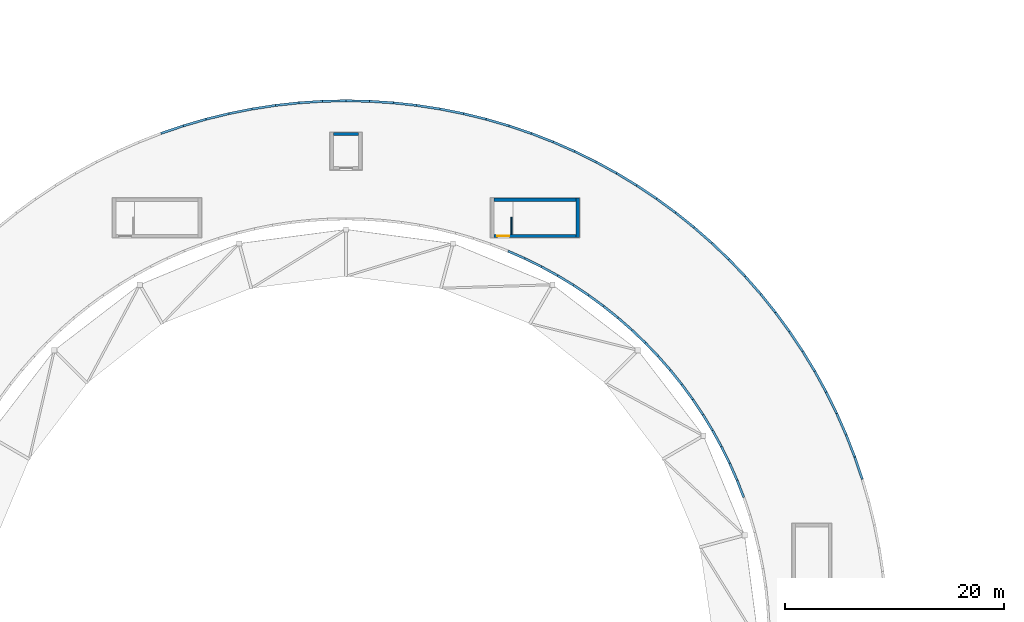
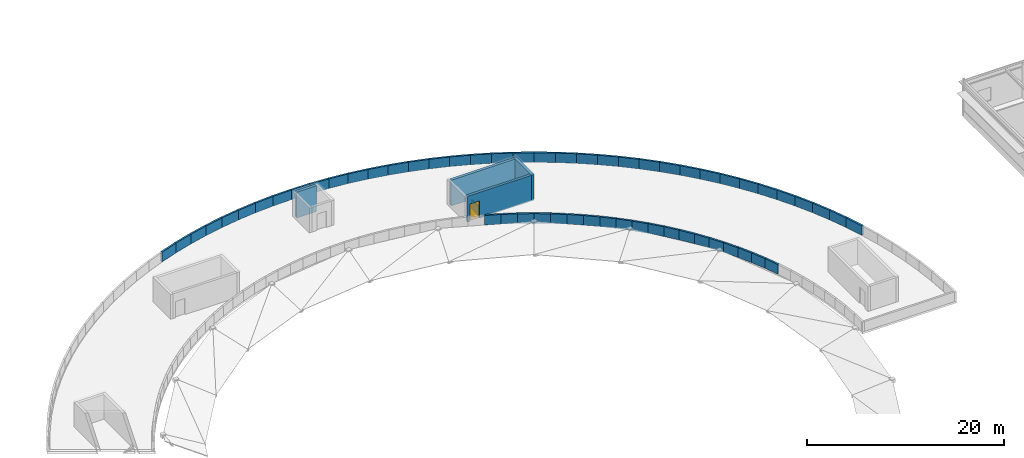
# One storey, part 35 of 50: 61 walls, 1 door, 1 opening.
"""IFC4 building model written with IfcOpenShell, lengths in metres."""

from ifc_helpers import new_model, si_unit, direction, frame, frame_2d, origin, place, context, subcontext, project, spatial, rectangle, extrude, material, layer, layer_set, type_object, element, fill, save


model = new_model("IFC4")

# Units and contexts
model_context = context("Model", 3, precision=1e-05, world=origin(), true_north=direction((0.0, 1.0)))
body_context = subcontext(model_context, "Body", "Model", "MODEL_VIEW")
ifc_project = project(units=[si_unit("LENGTHUNIT", "METRE"), si_unit("AREAUNIT", "SQUARE_METRE"), si_unit("VOLUMEUNIT", "CUBIC_METRE"), si_unit("PLANEANGLEUNIT", "RADIAN"), si_unit("MASSUNIT", "GRAM", prefix="KILO")], contexts=[model_context])

# Site, building, storey
site_placement = place(None, origin())
site = spatial("IfcSite", under=ifc_project, at=site_placement, CompositionType="ELEMENT")
building_placement = place(site_placement, origin())
building = spatial("IfcBuilding", under=site, at=building_placement, Name="Almandine Court Research Institute", CompositionType="ELEMENT")
storey_placement = place(building_placement, frame((0.0, 0.0, 23.449951171875)))
storey = spatial("IfcBuildingStorey", under=building, at=storey_placement, Name="L05", CompositionType="ELEMENT", Elevation=23.449951171875)

# Walls
ifc_material_1 = material(Name="Precast Concrete C40/50", Category="concrete")
ifc_layer_1 = layer(ifc_material_1, 0.2099609375)
ifc_layer_set_1 = layer_set([ifc_layer_1], Name="Precast Concrete C40/50")
wall_type_1 = type_object("IfcWallType", Name="Wall-PAR-210", PredefinedType="PARAPET", material=ifc_layer_set_1)
wall_1_placement = place(storey_placement, frame((134.10498046875, 70.85009765625, 0.0), z_axis=(0.0, 0.0, 1.0), x_axis=(-0.321412208842, 0.946939381379, 0.0)))
element("IfcWall", 1, at=wall_1_placement, inside=storey, type_object=wall_type_1, Name="L05 Roof Perimeter Parapet 020", PredefinedType="PARAPET", context=body_context, shape_type="SweptSolid", body=[
    extrude(rectangle(XDim=2.159423828125, YDim=0.2099609375, at=frame_2d((1.07958984375, 0.0))), origin(), (0.0, 0.0, 1.0), 1.199951171875),
])
for number, where, z_axis, x_axis, name in (
    (2, (133.412109375, 72.889892578125, 0.0), (0.0, 0.0, 1.0), (-0.36256624658, 0.931958001651, 0.0), "L05 Roof Perimeter Parapet 021"),
    (3, (132.631103515625, 74.89892578125, 0.0), (0.0, 0.0, 1.0), (-0.402821942195, 0.915278363607, 0.0), "L05 Roof Perimeter Parapet 022"),
):
    element("IfcWall", number, at=place(storey_placement, frame(where, z_axis=z_axis, x_axis=x_axis)), inside=storey, type_object=wall_type_1, Name=name, PredefinedType="PARAPET", context=body_context, shape_type="SweptSolid", body=[
        extrude(rectangle(XDim=2.16015625, YDim=0.2099609375, at=frame_2d((1.080078125, 0.0))), origin(), (0.0, 0.0, 1.0), 1.199951171875),
    ])
wall_2_placement = place(storey_placement, frame((131.762939453125, 76.87109375, 0.0), z_axis=(0.0, 0.0, 1.0), x_axis=(-0.442141749138, 0.896945189891, 0.0)))
element("IfcWall", 4, at=wall_2_placement, inside=storey, type_object=wall_type_1, Name="L05 Roof Perimeter Parapet 023", PredefinedType="PARAPET", context=body_context, shape_type="SweptSolid", body=[
    extrude(rectangle(XDim=2.15966796875, YDim=0.2099609375, at=frame_2d((1.079833984375, 0.0))), origin(), (0.0, 0.0, 1.0), 1.199951171875),
])
wall_3_placement = place(storey_placement, frame((130.81103515625, 78.803955078125, 0.0), z_axis=(0.0, 0.0, 1.0), x_axis=(-0.481163422052, 0.876630915083, 0.0)))
element("IfcWall", 5, at=wall_3_placement, inside=storey, type_object=wall_type_1, Name="L05 Roof Perimeter Parapet 024", PredefinedType="PARAPET", context=body_context, shape_type="SweptSolid", body=[
    extrude(rectangle(XDim=2.159423828125, YDim=0.2099609375, at=frame_2d((1.07958984375, 0.0))), origin(), (0.0, 0.0, 1.0), 1.199951171875),
])
wall_4_placement = place(storey_placement, frame((129.77392578125, 80.693115234375, 0.0), z_axis=(0.0, 0.0, 1.0), x_axis=(-0.518680079198, 0.854968406108, 0.0)))
element("IfcWall", 6, at=wall_4_placement, inside=storey, type_object=wall_type_1, Name="L05 Roof Perimeter Parapet 025", PredefinedType="PARAPET", context=body_context, shape_type="SweptSolid", body=[
    extrude(rectangle(XDim=2.1591796875, YDim=0.2099609375, at=frame_2d((1.07958984375, 0.0))), origin(), (0.0, 0.0, 1.0), 1.199951171875),
])
for number, where, z_axis, x_axis, name in (
    (7, (128.656982421875, 82.534912109375, 0.0), (0.0, 0.0, 1.0), (-0.555508484114, 0.831510868286, 0.0), "L05 Roof Perimeter Parapet 026"),
    (8, (127.458984375, 84.326904296875, 0.0), (0.0, 0.0, 1.0), (-0.591211761033, 0.806516369094, 0.0), "L05 Roof Perimeter Parapet 027"),
):
    element("IfcWall", number, at=place(storey_placement, frame(where, z_axis=z_axis, x_axis=x_axis)), inside=storey, type_object=wall_type_1, Name=name, PredefinedType="PARAPET", context=body_context, shape_type="SweptSolid", body=[
        extrude(rectangle(XDim=2.16015625, YDim=0.2099609375, at=frame_2d((1.080078125, 0.0))), origin(), (0.0, 0.0, 1.0), 1.199951171875),
    ])
for number, where, z_axis, x_axis, name in (
    (9, (126.18505859375, 86.06494140625, 0.0), (0.0, 0.0, 1.0), (-0.626045142333, 0.779786816868, 0.0), "L05 Roof Perimeter Parapet 028"),
    (10, (124.8359375, 87.7451171875, 0.0), (0.0, 0.0, 1.0), (-0.659296580105, 0.751882982559, 0.0), "L05 Roof Perimeter Parapet 029"),
):
    element("IfcWall", number, at=place(storey_placement, frame(where, z_axis=z_axis, x_axis=x_axis)), inside=storey, type_object=wall_type_1, Name=name, PredefinedType="PARAPET", context=body_context, shape_type="SweptSolid", body=[
        extrude(rectangle(XDim=2.15966796875, YDim=0.2099609375, at=frame_2d((1.079833984375, 0.0))), origin(), (0.0, 0.0, 1.0), 1.199951171875),
    ])
for number, where, z_axis, x_axis, name in (
    (11, (123.416015625, 89.365966796875, 0.0), (0.0, 0.0, 1.0), (-0.691389489776, 0.722482230527, 0.0), "L05 Roof Perimeter Parapet 030"),
    (12, (121.926025390625, 90.923095703125, 0.0), (0.0, 0.0, 1.0), (-0.722482230527, 0.691389489776, 0.0), "L05 Roof Perimeter Parapet 031"),
):
    element("IfcWall", number, at=place(storey_placement, frame(where, z_axis=z_axis, x_axis=x_axis)), inside=storey, type_object=wall_type_1, Name=name, PredefinedType="PARAPET", context=body_context, shape_type="SweptSolid", body=[
        extrude(rectangle(XDim=2.159423828125, YDim=0.2099609375, at=frame_2d((1.07958984375, 0.0))), origin(), (0.0, 0.0, 1.0), 1.199951171875),
    ])
for number, where, z_axis, x_axis, name in (
    (13, (120.368896484375, 92.412109375, 0.0), (0.0, 0.0, 1.0), (-0.751882982559, 0.659296580105, 0.0), "L05 Roof Perimeter Parapet 032"),
    (14, (118.7490234375, 93.8330078125, 0.0), (0.0, 0.0, 1.0), (-0.779786816868, 0.626045142333, 0.0), "L05 Roof Perimeter Parapet 033"),
):
    element("IfcWall", number, at=place(storey_placement, frame(where, z_axis=z_axis, x_axis=x_axis)), inside=storey, type_object=wall_type_1, Name=name, PredefinedType="PARAPET", context=body_context, shape_type="SweptSolid", body=[
        extrude(rectangle(XDim=2.15966796875, YDim=0.2099609375, at=frame_2d((1.079833984375, 0.0))), origin(), (0.0, 0.0, 1.0), 1.199951171875),
    ])
for number, where, z_axis, x_axis, name in (
    (15, (117.069091796875, 95.181884765625, 0.0), (0.0, 0.0, 1.0), (-0.806516369094, 0.591211761033, 0.0), "L05 Roof Perimeter Parapet 034"),
    (16, (115.3310546875, 96.45703125, 0.0), (0.0, 0.0, 1.0), (-0.831510868286, 0.555508484114, 0.0), "L05 Roof Perimeter Parapet 035"),
):
    element("IfcWall", number, at=place(storey_placement, frame(where, z_axis=z_axis, x_axis=x_axis)), inside=storey, type_object=wall_type_1, Name=name, PredefinedType="PARAPET", context=body_context, shape_type="SweptSolid", body=[
        extrude(rectangle(XDim=2.16015625, YDim=0.2099609375, at=frame_2d((1.080078125, 0.0))), origin(), (0.0, 0.0, 1.0), 1.199951171875),
    ])
wall_5_placement = place(storey_placement, frame((113.5390625, 97.654052734375, 0.0), z_axis=(0.0, 0.0, 1.0), x_axis=(-0.854968406108, 0.518680079198, 0.0)))
element("IfcWall", 17, at=wall_5_placement, inside=storey, type_object=wall_type_1, Name="L05 Roof Perimeter Parapet 036", PredefinedType="PARAPET", context=body_context, shape_type="SweptSolid", body=[
    extrude(rectangle(XDim=2.1591796875, YDim=0.2099609375, at=frame_2d((1.07958984375, 0.0))), origin(), (0.0, 0.0, 1.0), 1.199951171875),
])
wall_6_placement = place(storey_placement, frame((111.697021484375, 98.77197265625, 0.0), z_axis=(0.0, 0.0, 1.0), x_axis=(-0.876630915083, 0.481163422052, 0.0)))
element("IfcWall", 18, at=wall_6_placement, inside=storey, type_object=wall_type_1, Name="L05 Roof Perimeter Parapet 037", PredefinedType="PARAPET", context=body_context, shape_type="SweptSolid", body=[
    extrude(rectangle(XDim=2.159423828125, YDim=0.2099609375, at=frame_2d((1.07958984375, 0.0))), origin(), (0.0, 0.0, 1.0), 1.199951171875),
])
wall_7_placement = place(storey_placement, frame((109.80810546875, 99.80810546875, 0.0), z_axis=(0.0, 0.0, 1.0), x_axis=(-0.896945189891, 0.442141749138, 0.0)))
element("IfcWall", 19, at=wall_7_placement, inside=storey, type_object=wall_type_1, Name="L05 Roof Perimeter Parapet 038", PredefinedType="PARAPET", context=body_context, shape_type="SweptSolid", body=[
    extrude(rectangle(XDim=2.15966796875, YDim=0.2099609375, at=frame_2d((1.079833984375, 0.0))), origin(), (0.0, 0.0, 1.0), 1.199951171875),
])
for number, where, z_axis, x_axis, name in (
    (20, (107.8759765625, 100.760986328125, 0.0), (0.0, 0.0, 1.0), (-0.915278363607, 0.402821942195, 0.0), "L05 Roof Perimeter Parapet 039"),
    (21, (105.903076171875, 101.62890625, 0.0), (0.0, 0.0, 1.0), (-0.931958001651, 0.36256624658, 0.0), "L05 Roof Perimeter Parapet 040"),
):
    element("IfcWall", number, at=place(storey_placement, frame(where, z_axis=z_axis, x_axis=x_axis)), inside=storey, type_object=wall_type_1, Name=name, PredefinedType="PARAPET", context=body_context, shape_type="SweptSolid", body=[
        extrude(rectangle(XDim=2.16015625, YDim=0.2099609375, at=frame_2d((1.080078125, 0.0))), origin(), (0.0, 0.0, 1.0), 1.199951171875),
    ])
wall_8_placement = place(storey_placement, frame((103.89501953125, 102.410888671875, 0.0), z_axis=(0.0, 0.0, 1.0), x_axis=(-0.946939381379, 0.321412208842, 0.0)))
element("IfcWall", 22, at=wall_8_placement, inside=storey, type_object=wall_type_1, Name="L05 Roof Perimeter Parapet 041", PredefinedType="PARAPET", context=body_context, shape_type="SweptSolid", body=[
    extrude(rectangle(XDim=2.159423828125, YDim=0.2099609375, at=frame_2d((1.07958984375, 0.0))), origin(), (0.0, 0.0, 1.0), 1.199951171875),
])
wall_9_placement = place(storey_placement, frame((101.85400390625, 103.10302734375, 0.0), z_axis=(0.0, 0.0, 1.0), x_axis=(-0.960077212876, 0.279735134219, 0.0)))
element("IfcWall", 23, at=wall_9_placement, inside=storey, type_object=wall_type_1, Name="L05 Roof Perimeter Parapet 042", PredefinedType="PARAPET", context=body_context, shape_type="SweptSolid", body=[
    extrude(rectangle(XDim=2.1591796875, YDim=0.2099609375, at=frame_2d((1.07958984375, 0.0))), origin(), (0.0, 0.0, 1.0), 1.199951171875),
])
wall_10_placement = place(storey_placement, frame((99.785888671875, 103.7060546875, 0.0), z_axis=(0.0, 0.0, 1.0), x_axis=(-0.971281853766, 0.237931840123, 0.0)))
element("IfcWall", 24, at=wall_10_placement, inside=storey, type_object=wall_type_1, Name="L05 Roof Perimeter Parapet 043", PredefinedType="PARAPET", context=body_context, shape_type="SweptSolid", body=[
    extrude(rectangle(XDim=2.159912109375, YDim=0.2099609375, at=frame_2d((1.080078125, 0.0))), origin(), (0.0, 0.0, 1.0), 1.199951171875),
])
wall_11_placement = place(storey_placement, frame((97.693115234375, 104.218994140625, 0.0), z_axis=(0.0, 0.0, 1.0), x_axis=(-0.980823412613, 0.194898520441, 0.0)))
element("IfcWall", 25, at=wall_11_placement, inside=storey, type_object=wall_type_1, Name="L05 Roof Perimeter Parapet 044", PredefinedType="PARAPET", context=body_context, shape_type="SweptSolid", body=[
    extrude(rectangle(XDim=2.15966796875, YDim=0.2099609375, at=frame_2d((1.079833984375, 0.0))), origin(), (0.0, 0.0, 1.0), 1.199951171875),
])
wall_12_placement = place(storey_placement, frame((95.5791015625, 104.638916015625, 0.0), z_axis=(0.0, 0.0, 1.0), x_axis=(-0.988327232895, 0.152345924522, 0.0)))
element("IfcWall", 26, at=wall_12_placement, inside=storey, type_object=wall_type_1, Name="L05 Roof Perimeter Parapet 045", PredefinedType="PARAPET", context=body_context, shape_type="SweptSolid", body=[
    extrude(rectangle(XDim=2.16015625, YDim=0.2099609375, at=frame_2d((1.080078125, 0.0))), origin(), (0.0, 0.0, 1.0), 1.199951171875),
])
wall_13_placement = place(storey_placement, frame((93.448974609375, 104.968017578125, 0.0), z_axis=(0.0, 0.0, 1.0), x_axis=(-0.99406978261, 0.108744044902, 0.0)))
element("IfcWall", 27, at=wall_13_placement, inside=storey, type_object=wall_type_1, Name="L05 Roof Perimeter Parapet 046", PredefinedType="PARAPET", context=body_context, shape_type="SweptSolid", body=[
    extrude(rectangle(XDim=2.15966796875, YDim=0.2099609375, at=frame_2d((1.079833984375, 0.0))), origin(), (0.0, 0.0, 1.0), 1.199951171875),
])
for number, where, z_axis, x_axis, name in (
    (28, (91.306884765625, 105.201904296875, 0.0), (0.0, 0.0, 1.0), (-0.997862512186, 0.065348349427, 0.0), "L05 Roof Perimeter Parapet 047"),
    (29, (89.156982421875, 105.343017578125, 0.0), (0.0, 0.0, 1.0), (-0.999764375907, 0.021706972767, 0.0), "L05 Roof Perimeter Parapet 048"),
    (30, (87.001953125, 105.389892578125, 0.0), (0.0, 0.0, 1.0), (-0.999764375907, -0.021706972767, 0.0), "L05 Roof Perimeter Parapet 049"),
    (31, (84.847900390625, 105.343017578125, 0.0), (0.0, 0.0, 1.0), (-0.997862512186, -0.065348349427, 0.0), "L05 Roof Perimeter Parapet 050"),
):
    element("IfcWall", number, at=place(storey_placement, frame(where, z_axis=z_axis, x_axis=x_axis)), inside=storey, type_object=wall_type_1, Name=name, PredefinedType="PARAPET", context=body_context, shape_type="SweptSolid", body=[
        extrude(rectangle(XDim=2.159423828125, YDim=0.2099609375, at=frame_2d((1.07958984375, 0.0))), origin(), (0.0, 0.0, 1.0), 1.199951171875),
    ])
wall_14_placement = place(storey_placement, frame((82.697998046875, 105.202880859375, 0.0), z_axis=(0.0, 0.0, 1.0), x_axis=(-0.99406978261, -0.108744044902, 0.0)))
element("IfcWall", 32, at=wall_14_placement, inside=storey, type_object=wall_type_1, Name="L05 Roof Perimeter Parapet 051", PredefinedType="PARAPET", context=body_context, shape_type="SweptSolid", body=[
    extrude(rectangle(XDim=2.15966796875, YDim=0.2099609375, at=frame_2d((1.079833984375, 0.0))), origin(), (0.0, 0.0, 1.0), 1.199951171875),
])
wall_15_placement = place(storey_placement, frame((80.555908203125, 104.968017578125, 0.0), z_axis=(0.0, 0.0, 1.0), x_axis=(-0.988327232895, -0.152345924522, 0.0)))
element("IfcWall", 33, at=wall_15_placement, inside=storey, type_object=wall_type_1, Name="L05 Roof Perimeter Parapet 052", PredefinedType="PARAPET", context=body_context, shape_type="SweptSolid", body=[
    extrude(rectangle(XDim=2.16015625, YDim=0.2099609375, at=frame_2d((1.080078125, 0.0))), origin(), (0.0, 0.0, 1.0), 1.199951171875),
])
wall_16_placement = place(storey_placement, frame((78.425048828125, 104.639892578125, 0.0), z_axis=(0.0, 0.0, 1.0), x_axis=(-0.980823412613, -0.194898520441, 0.0)))
element("IfcWall", 34, at=wall_16_placement, inside=storey, type_object=wall_type_1, Name="L05 Roof Perimeter Parapet 053", PredefinedType="PARAPET", context=body_context, shape_type="SweptSolid", body=[
    extrude(rectangle(XDim=2.15966796875, YDim=0.2099609375, at=frame_2d((1.079833984375, 0.0))), origin(), (0.0, 0.0, 1.0), 1.199951171875),
])
wall_17_placement = place(storey_placement, frame((76.31201171875, 104.219970703125, 0.0), z_axis=(0.0, 0.0, 1.0), x_axis=(-0.971281853766, -0.237931840123, 0.0)))
element("IfcWall", 35, at=wall_17_placement, inside=storey, type_object=wall_type_1, Name="L05 Roof Perimeter Parapet 054", PredefinedType="PARAPET", context=body_context, shape_type="SweptSolid", body=[
    extrude(rectangle(XDim=2.159912109375, YDim=0.2099609375, at=frame_2d((1.080078125, 0.0))), origin(), (0.0, 0.0, 1.0), 1.199951171875),
])
wall_18_placement = place(storey_placement, frame((74.218994140625, 103.70703125, 0.0), z_axis=(0.0, 0.0, 1.0), x_axis=(-0.960077212876, -0.279735134219, 0.0)))
element("IfcWall", 36, at=wall_18_placement, inside=storey, type_object=wall_type_1, Name="L05 Roof Perimeter Parapet 055", PredefinedType="PARAPET", context=body_context, shape_type="SweptSolid", body=[
    extrude(rectangle(XDim=2.1591796875, YDim=0.2099609375, at=frame_2d((1.07958984375, 0.0))), origin(), (0.0, 0.0, 1.0), 1.199951171875),
])
wall_19_placement = place(storey_placement, frame((72.14990234375, 103.10498046875, 0.0), z_axis=(0.0, 0.0, 1.0), x_axis=(-0.946939381379, -0.321412208842, 0.0)))
element("IfcWall", 37, at=wall_19_placement, inside=storey, type_object=wall_type_1, Name="L05 Roof Perimeter Parapet 056", PredefinedType="PARAPET", context=body_context, shape_type="SweptSolid", body=[
    extrude(rectangle(XDim=2.159423828125, YDim=0.2099609375, at=frame_2d((1.07958984375, 0.0))), origin(), (0.0, 0.0, 1.0), 1.199951171875),
])
wall_20_placement = place(storey_placement, frame((101.777099609375, 91.669921875, 0.0), z_axis=(0.0, 0.0, 1.0), x_axis=(0.915452129995, -0.402426884896, 0.0)))
element("IfcWall", 38, at=wall_20_placement, inside=storey, type_object=wall_type_1, Name="L05 Roof Perimeter Parapet 119", PredefinedType="PARAPET", context=body_context, shape_type="SweptSolid", body=[
    extrude(rectangle(XDim=1.679931640625, YDim=0.2099609375, at=frame_2d((0.83984375, 0.0))), origin(), (0.0, 0.0, 1.0), 1.199951171875),
])
wall_21_placement = place(storey_placement, frame((103.320068359375, 90.991943359375, 0.0), z_axis=(0.0, 0.0, 1.0), x_axis=(0.896798962064, -0.442438268735, 0.0)))
element("IfcWall", 39, at=wall_21_placement, inside=storey, type_object=wall_type_1, Name="L05 Roof Perimeter Parapet 120", PredefinedType="PARAPET", context=body_context, shape_type="SweptSolid", body=[
    extrude(rectangle(XDim=1.67919921875, YDim=0.2099609375, at=frame_2d((0.839599609375, 0.0))), origin(), (0.0, 0.0, 1.0), 1.199951171875),
])
wall_22_placement = place(storey_placement, frame((104.830078125, 90.24609375, 0.0), z_axis=(0.0, 0.0, 1.0), x_axis=(0.876715549641, -0.481009194317, 0.0)))
element("IfcWall", 40, at=wall_22_placement, inside=storey, type_object=wall_type_1, Name="L05 Roof Perimeter Parapet 121", PredefinedType="PARAPET", context=body_context, shape_type="SweptSolid", body=[
    extrude(rectangle(XDim=1.679931640625, YDim=0.2099609375, at=frame_2d((0.83984375, 0.0))), origin(), (0.0, 0.0, 1.0), 1.199951171875),
])
wall_23_placement = place(storey_placement, frame((106.306884765625, 89.43603515625, 0.0), z_axis=(0.0, 0.0, 1.0), x_axis=(0.854994714032, -0.518636711946, 0.0)))
element("IfcWall", 41, at=wall_23_placement, inside=storey, type_object=wall_type_1, Name="L05 Roof Perimeter Parapet 122", PredefinedType="PARAPET", context=body_context, shape_type="SweptSolid", body=[
    extrude(rectangle(XDim=1.6796875, YDim=0.2099609375, at=frame_2d((0.83984375, 0.0))), origin(), (0.0, 0.0, 1.0), 1.199951171875),
])
wall_24_placement = place(storey_placement, frame((107.7470703125, 88.56201171875, 0.0), z_axis=(0.0, 0.0, 1.0), x_axis=(0.831289589727, -0.555839561394, 0.0)))
element("IfcWall", 42, at=wall_24_placement, inside=storey, type_object=wall_type_1, Name="L05 Roof Perimeter Parapet 123", PredefinedType="PARAPET", context=body_context, shape_type="SweptSolid", body=[
    extrude(rectangle(XDim=1.680419921875, YDim=0.2099609375, at=frame_2d((0.84033203125, 0.0))), origin(), (0.0, 0.0, 1.0), 1.199951171875),
])
wall_25_placement = place(storey_placement, frame((109.14794921875, 87.6259765625, 0.0), z_axis=(0.0, 0.0, 1.0), x_axis=(0.806409618496, -0.591357359975, 0.0)))
element("IfcWall", 43, at=wall_25_placement, inside=storey, type_object=wall_type_1, Name="L05 Roof Perimeter Parapet 124", PredefinedType="PARAPET", context=body_context, shape_type="SweptSolid", body=[
    extrude(rectangle(XDim=1.678955078125, YDim=0.2099609375, at=frame_2d((0.83935546875, 0.0))), origin(), (0.0, 0.0, 1.0), 1.199951171875),
])
wall_26_placement = place(storey_placement, frame((110.506103515625, 86.6298828125, 0.0), z_axis=(0.0, 0.0, 1.0), x_axis=(0.780017021724, -0.625758296645, 0.0)))
element("IfcWall", 44, at=wall_26_placement, inside=storey, type_object=wall_type_1, Name="L05 Roof Perimeter Parapet 125", PredefinedType="PARAPET", context=body_context, shape_type="SweptSolid", body=[
    extrude(rectangle(XDim=1.67919921875, YDim=0.2099609375, at=frame_2d((0.839599609375, 0.0))), origin(), (0.0, 0.0, 1.0), 1.199951171875),
])
for number, where, z_axis, x_axis, name in (
    (45, (111.820068359375, 85.575927734375, 0.0), (0.0, 0.0, 1.0), (0.751738890606, -0.659460870978, 0.0), "L05 Roof Perimeter Parapet 126"),
    (46, (113.0859375, 84.464111328125, 0.0), (0.0, 0.0, 1.0), (0.722698664674, -0.691163251395, 0.0), "L05 Roof Perimeter Parapet 127"),
    (47, (114.302978515625, 83.300048828125, 0.0), (0.0, 0.0, 1.0), (0.691163251395, -0.722698664674, 0.0), "L05 Roof Perimeter Parapet 128"),
    (48, (115.468017578125, 82.0830078125, 0.0), (0.0, 0.0, 1.0), (0.659460870978, -0.751738890606, 0.0), "L05 Roof Perimeter Parapet 129"),
):
    element("IfcWall", number, at=place(storey_placement, frame(where, z_axis=z_axis, x_axis=x_axis)), inside=storey, type_object=wall_type_1, Name=name, PredefinedType="PARAPET", context=body_context, shape_type="SweptSolid", body=[
        extrude(rectangle(XDim=1.679931640625, YDim=0.2099609375, at=frame_2d((0.83984375, 0.0))), origin(), (0.0, 0.0, 1.0), 1.199951171875),
    ])
wall_27_placement = place(storey_placement, frame((116.5791015625, 80.81591796875, 0.0), z_axis=(0.0, 0.0, 1.0), x_axis=(0.625758296645, -0.780017021724, 0.0)))
element("IfcWall", 49, at=wall_27_placement, inside=storey, type_object=wall_type_1, Name="L05 Roof Perimeter Parapet 130", PredefinedType="PARAPET", context=body_context, shape_type="SweptSolid", body=[
    extrude(rectangle(XDim=1.67919921875, YDim=0.2099609375, at=frame_2d((0.839599609375, 0.0))), origin(), (0.0, 0.0, 1.0), 1.199951171875),
])
wall_28_placement = place(storey_placement, frame((117.633056640625, 79.501953125, 0.0), z_axis=(0.0, 0.0, 1.0), x_axis=(0.591357359975, -0.806409618496, 0.0)))
element("IfcWall", 50, at=wall_28_placement, inside=storey, type_object=wall_type_1, Name="L05 Roof Perimeter Parapet 131", PredefinedType="PARAPET", context=body_context, shape_type="SweptSolid", body=[
    extrude(rectangle(XDim=1.678955078125, YDim=0.2099609375, at=frame_2d((0.83935546875, 0.0))), origin(), (0.0, 0.0, 1.0), 1.199951171875),
])
wall_29_placement = place(storey_placement, frame((118.6279296875, 78.14404296875, 0.0), z_axis=(0.0, 0.0, 1.0), x_axis=(0.555839561394, -0.831289589727, 0.0)))
element("IfcWall", 51, at=wall_29_placement, inside=storey, type_object=wall_type_1, Name="L05 Roof Perimeter Parapet 132", PredefinedType="PARAPET", context=body_context, shape_type="SweptSolid", body=[
    extrude(rectangle(XDim=1.680419921875, YDim=0.2099609375, at=frame_2d((0.84033203125, 0.0))), origin(), (0.0, 0.0, 1.0), 1.199951171875),
])
wall_30_placement = place(storey_placement, frame((119.56494140625, 76.742919921875, 0.0), z_axis=(0.0, 0.0, 1.0), x_axis=(0.518636711946, -0.854994714032, 0.0)))
element("IfcWall", 52, at=wall_30_placement, inside=storey, type_object=wall_type_1, Name="L05 Roof Perimeter Parapet 133", PredefinedType="PARAPET", context=body_context, shape_type="SweptSolid", body=[
    extrude(rectangle(XDim=1.6796875, YDim=0.2099609375, at=frame_2d((0.83984375, 0.0))), origin(), (0.0, 0.0, 1.0), 1.199951171875),
])
wall_31_placement = place(storey_placement, frame((120.43798828125, 75.302978515625, 0.0), z_axis=(0.0, 0.0, 1.0), x_axis=(0.481009194317, -0.876715549641, 0.0)))
element("IfcWall", 53, at=wall_31_placement, inside=storey, type_object=wall_type_1, Name="L05 Roof Perimeter Parapet 134", PredefinedType="PARAPET", context=body_context, shape_type="SweptSolid", body=[
    extrude(rectangle(XDim=1.679931640625, YDim=0.2099609375, at=frame_2d((0.83984375, 0.0))), origin(), (0.0, 0.0, 1.0), 1.199951171875),
])
wall_32_placement = place(storey_placement, frame((121.2490234375, 73.825927734375, 0.0), z_axis=(0.0, 0.0, 1.0), x_axis=(0.442438268735, -0.896798962064, 0.0)))
element("IfcWall", 54, at=wall_32_placement, inside=storey, type_object=wall_type_1, Name="L05 Roof Perimeter Parapet 135", PredefinedType="PARAPET", context=body_context, shape_type="SweptSolid", body=[
    extrude(rectangle(XDim=1.67919921875, YDim=0.2099609375, at=frame_2d((0.839599609375, 0.0))), origin(), (0.0, 0.0, 1.0), 1.199951171875),
])
wall_33_placement = place(storey_placement, frame((121.993896484375, 72.31494140625, 0.0), z_axis=(0.0, 0.0, 1.0), x_axis=(0.402426884896, -0.915452129995, 0.0)))
element("IfcWall", 55, at=wall_33_placement, inside=storey, type_object=wall_type_1, Name="L05 Roof Perimeter Parapet 136", PredefinedType="PARAPET", context=body_context, shape_type="SweptSolid", body=[
    extrude(rectangle(XDim=1.679931640625, YDim=0.2099609375, at=frame_2d((0.83984375, 0.0))), origin(), (0.0, 0.0, 1.0), 1.199951171875),
])
wall_34_placement = place(storey_placement, frame((122.672119140625, 70.77294921875, 0.0), z_axis=(0.0, 0.0, 1.0), x_axis=(0.362600610379, -0.931944632128, 0.0)))
element("IfcWall", 56, at=wall_34_placement, inside=storey, type_object=wall_type_1, Name="L05 Roof Perimeter Parapet 137", PredefinedType="PARAPET", context=body_context, shape_type="SweptSolid", body=[
    extrude(rectangle(XDim=1.67919921875, YDim=0.2099609375, at=frame_2d((0.839599609375, 0.0))), origin(), (0.0, 0.0, 1.0), 1.199951171875),
])
ifc_material_2 = material(Name="Lightweight Drywall Office Partition")
ifc_layer_2 = layer(ifc_material_2, 0.125)
ifc_layer_set_2 = layer_set([ifc_layer_2], Name="Lightweight Drywall Office Partition")
wall_type_2 = type_object("IfcWallType", Name="Wall-PART-125", PredefinedType="PARTITIONING", material=ifc_layer_set_2)
wall_35_placement = place(storey_placement, frame((102.10009765625, 93.199951171875, 0.0), z_axis=(0.0, 0.0, 1.0), x_axis=(0.0, 1.0, 0.0)))
element("IfcWall", 57, at=wall_35_placement, inside=storey, type_object=wall_type_2, Name="L05 ST-09 Penthouse Well Curb Wall 1", PredefinedType="PARTITIONING", context=body_context, shape_type="SweptSolid", body=[
    extrude(rectangle(XDim=1.580078125, YDim=0.125, at=frame_2d((0.7900390625, 0.0))), origin(), (0.0, 0.0, 1.0), 1.150146484375),
])
ifc_material_3 = material(Name="Concrete C40/50", Category="concrete")
ifc_layer_3 = layer(ifc_material_3, 0.300048828125)
ifc_layer_set_3 = layer_set([ifc_layer_3], Name="Concrete C40/50")
wall_type_3 = type_object("IfcWallType", Name="Wall-SW-CORE-300-E", PredefinedType="SHEAR", material=ifc_layer_set_3)
wall_36_placement = place(storey_placement, frame((100.5, 96.35009765625, 0.0), z_axis=(0.0, 0.0, 1.0), x_axis=(1.0, 0.0, 0.0)))
element("IfcWall", 58, at=wall_36_placement, inside=storey, type_object=wall_type_3, Name="L05 ST-09 Penthouse N Shear Wall", PredefinedType="SHEAR", context=body_context, shape_type="SweptSolid", body=[
    extrude(rectangle(XDim=7.5, YDim=0.300048828125, at=frame_2d((3.75, 0.0))), origin(), (0.0, 0.0, 1.0), 3.199951171875),
])
wall_37_placement = place(storey_placement, frame((108.14990234375, 96.5, 0.0), z_axis=(0.0, 0.0, 1.0), x_axis=(0.0, -1.0, 0.0)))
element("IfcWall", 59, at=wall_37_placement, inside=storey, type_object=wall_type_3, Name="L05 ST-09 Penthouse E Shear Wall", PredefinedType="SHEAR", context=body_context, shape_type="SweptSolid", body=[
    extrude(rectangle(XDim=3.60009765625, YDim=0.300048828125, at=frame_2d((1.800048828125, 0.0))), origin(), (0.0, 0.0, 1.0), 3.199951171875),
])

# Wall, opening, door
wall_38_placement = place(storey_placement, frame((108.0, 93.050048828125, 0.0), z_axis=(0.0, 0.0, 1.0), x_axis=(-1.0, 0.0, 0.0)))
wall_38 = element("IfcWall", 60, at=wall_38_placement, inside=storey, type_object=wall_type_3, Name="L05 ST-09 Penthouse S Shear Wall", PredefinedType="SHEAR", context=body_context, shape_type="SweptSolid", body=[
    extrude(rectangle(XDim=7.5, YDim=0.300048828125, at=frame_2d((3.75, 0.0))), origin(), (0.0, 0.0, 1.0), 3.199951171875),
])
opening_placement = place(wall_38_placement, frame((6.10009765625, 0.0, 0.0)))
opening = element("IfcOpeningElement", 61, at=opening_placement, cuts=wall_38, Name="Opening EX-04", PredefinedType="OPENING", context=body_context, shape_type="SweptSolid", body=[
    extrude(rectangle(XDim=1.10009765625, YDim=2.14990234375, at=frame_2d((0.550048828125, 1.074951171875))), frame((0.0, 0.159912109375, 0.0), z_axis=(0.0, -1.0, 0.0), x_axis=(1.0, 0.0, 0.0)), (0.0, 0.0, 1.0), 0.320068359375),
])
ifc_material_4 = material(Name="Painted Steel Exterior Personnel Exit Door", Category="steel")
door_type = type_object("IfcDoorType", Name="Door-EX-1100", OperationType="NOTDEFINED", PredefinedType="DOOR", material=ifc_material_4)
door_placement = place(opening_placement, origin())
door = element("IfcDoor", 62, at=door_placement, inside=storey, type_object=door_type, Name="L05 Exit Stair ST-09 Fire Door", OperationType="SINGLE_SWING_LEFT", OverallHeight=2.14990234375, OverallWidth=1.10009765625, PredefinedType="DOOR", context=body_context, shape_type="SweptSolid", body=[
    extrude(rectangle(XDim=1.10009765625, YDim=2.14990234375, at=frame_2d((0.550048828125, 1.074951171875))), frame((0.0, 0.02490234375, 0.0), z_axis=(0.0, -1.0, 0.0), x_axis=(1.0, 0.0, 0.0)), (0.0, 0.0, 1.0), 0.050048828125),
])
fill(opening, door)

# Wall
wall_39_placement = place(storey_placement, frame((85.85009765625, 102.35009765625, 0.0), z_axis=(0.0, 0.0, 1.0), x_axis=(1.0, 0.0, 0.0)))
element("IfcWall", 63, at=wall_39_placement, inside=storey, type_object=wall_type_3, Name="L05 PL-04 Overrun N Shear Wall", PredefinedType="SHEAR", context=body_context, shape_type="SweptSolid", body=[
    extrude(rectangle(XDim=2.2998046875, YDim=0.300048828125, at=frame_2d((1.14990234375, 0.0))), origin(), (0.0, 0.0, 1.0), 3.199951171875),
])

save(model, "model.ifc")
